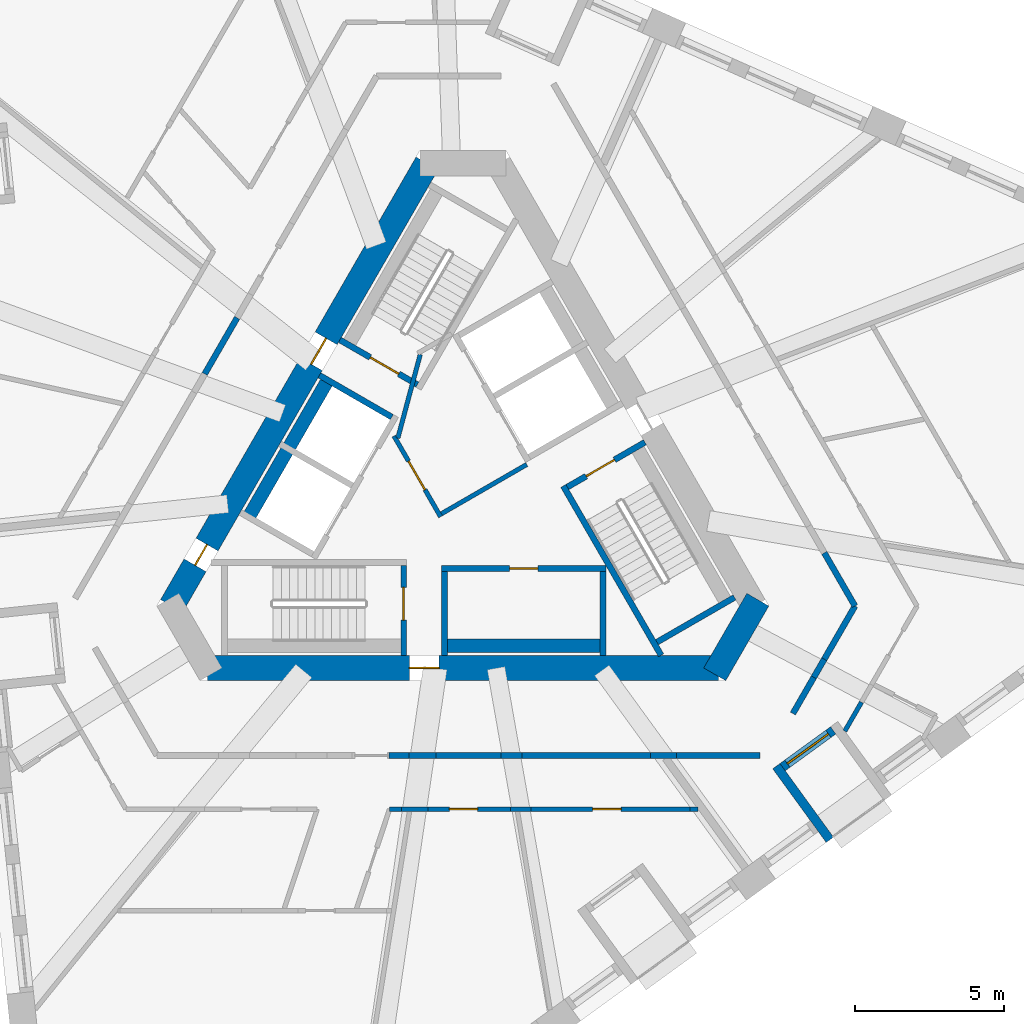
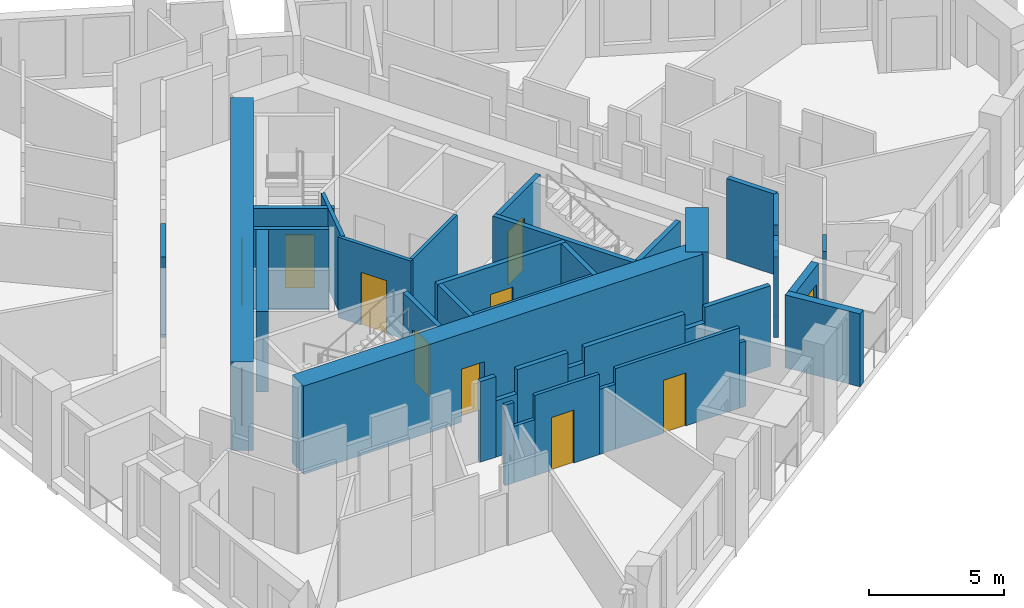
# One storey, part 4 of 14: 38 walls, 11 doors, 11 openings.
"""IFC4 building model written with IfcOpenShell, lengths in metres."""

from ifc_helpers import new_model, si_unit, direction, frame, frame_2d, origin, place, context, subcontext, project, spatial, rectangle, extrude, material, layer, layer_set, type_object, element, fill, save


model = new_model("IFC4")

# Units and contexts
model_context = context("Model", 3, precision=1e-05, world=origin(), true_north=direction((0.0, 1.0)))
body_context = subcontext(model_context, "Body", "Model", "MODEL_VIEW")
ifc_project = project(units=[si_unit("LENGTHUNIT", "METRE"), si_unit("AREAUNIT", "SQUARE_METRE"), si_unit("VOLUMEUNIT", "CUBIC_METRE"), si_unit("PLANEANGLEUNIT", "RADIAN"), si_unit("MASSUNIT", "GRAM", prefix="KILO")], contexts=[model_context])

# Site, building, storey
site_placement = place(None, origin())
site = spatial("IfcSite", under=ifc_project, at=site_placement, CompositionType="ELEMENT")
building_placement = place(site_placement, origin())
building = spatial("IfcBuilding", under=site, at=building_placement, Name="Tramontana Tower", CompositionType="ELEMENT")
storey_placement = place(building_placement, frame((0.0, 0.0, 162.800048828125)))
storey = spatial("IfcBuildingStorey", under=building, at=storey_placement, Name="L37", CompositionType="ELEMENT", Elevation=162.800048828125)

# Wall, openings, doors
ifc_material_1 = material(Name="Concrete 70 MPa", Category="concrete")
ifc_layer_1 = layer(ifc_material_1, 0.85009765625)
ifc_layer_set_1 = layer_set([ifc_layer_1], Name="Core wall 850 70 MPa")
wall_type_1 = type_object("IfcWallType", Name="Core wall 850 70 MPa", PredefinedType="SHEAR", material=ifc_layer_set_1)
wall_1_placement = place(storey_placement, frame((-1.197998046875, 10.574951171875, 0.0), z_axis=(0.0, 0.0, 1.0), x_axis=(-0.499995289315, -0.866028123483, 0.0)))
wall_1 = element("IfcWall", 1, at=wall_1_placement, inside=storey, type_object=wall_type_1, Name="Core wall C1 L37", PredefinedType="SHEAR", context=body_context, shape_type="SweptSolid", body=[
    extrude(rectangle(XDim=17.118408203125, YDim=0.85009765625, at=frame_2d((8.55908203125, 0.0))), origin(), (0.0, 0.0, 1.0), 4.0),
])
opening_1_placement = place(wall_1_placement, frame((6.76416015625, 0.0, 0.0)))
opening_1 = element("IfcOpeningElement", 2, at=opening_1_placement, cuts=wall_1, Name="Opening RG1", PredefinedType="OPENING", context=body_context, shape_type="SweptSolid", body=[
    extrude(rectangle(XDim=1.0, YDim=2.39990234375, at=frame_2d((0.5, 1.199951171875))), frame((0.0, 0.43505859375, 0.0), z_axis=(0.0, -1.0, 0.0), x_axis=(1.0, 0.0, 0.0)), (0.0, 0.0, 1.0), 0.8701171875),
])
opening_2_placement = place(wall_1_placement, frame((14.7421875, 0.0, 0.0)))
opening_2 = element("IfcOpeningElement", 3, at=opening_2_placement, cuts=wall_1, Name="Opening PD1", PredefinedType="OPENING", context=body_context, shape_type="SweptSolid", body=[
    extrude(rectangle(XDim=0.800048828125, YDim=2.10009765625, at=frame_2d((0.39990234375, 1.050048828125))), frame((0.0, 0.43505859375, 0.0), z_axis=(0.0, -1.0, 0.0), x_axis=(1.0, 0.0, 0.0)), (0.0, 0.0, 1.0), 0.8701171875),
])
ifc_material_2 = material(Name="Painted steel", Category="steel")
door_type_1 = type_object("IfcDoorType", Name="CUPBOARD DOOR 800", OperationType="SINGLE_SWING_LEFT", PredefinedType="DOOR", material=ifc_material_2)
door_1_placement = place(opening_2_placement, origin())
door_1 = element("IfcDoor", 4, at=door_1_placement, inside=storey, type_object=door_type_1, Name="Door PD1", OperationType="SINGLE_SWING_RIGHT", OverallHeight=2.10009765625, OverallWidth=0.800048828125, PredefinedType="DOOR", context=body_context, shape_type="SweptSolid", body=[
    extrude(rectangle(XDim=0.800048828125, YDim=2.10009765625, at=frame_2d((0.39990234375, 1.050048828125))), frame((0.0, 0.02490234375, 0.0), z_axis=(0.0, -1.0, 0.0), x_axis=(1.0, 0.0, 0.0)), (0.0, 0.0, 1.0), 0.050048828125),
])
fill(opening_2, door_1)
ifc_material_3 = material(Name="Painted steel", Category="steel")
door_type_2 = type_object("IfcDoorType", Name="RING DOOR 1000", OperationType="SINGLE_SWING_LEFT", PredefinedType="DOOR", material=ifc_material_3)
door_2_placement = place(opening_1_placement, origin())
door_2 = element("IfcDoor", 5, at=door_2_placement, inside=storey, type_object=door_type_2, Name="Door RG1", OperationType="SINGLE_SWING_LEFT", OverallHeight=2.39990234375, OverallWidth=1.0, PredefinedType="DOOR", context=body_context, shape_type="SweptSolid", body=[
    extrude(rectangle(XDim=1.0, YDim=2.39990234375, at=frame_2d((0.5, 1.199951171875))), frame((0.0, 0.02490234375, 0.0), z_axis=(0.0, -1.0, 0.0), x_axis=(1.0, 0.0, 0.0)), (0.0, 0.0, 1.0), 0.050048828125),
])
fill(opening_1, door_2)

# Wall, opening, door
wall_2_placement = place(storey_placement, frame((-8.55908203125, -6.324951171875, 0.0), z_axis=(0.0, 0.0, 1.0), x_axis=(1.0, 0.0, 0.0)))
wall_2 = element("IfcWall", 6, at=wall_2_placement, inside=storey, type_object=wall_type_1, Name="Core wall C3 L37", PredefinedType="SHEAR", context=body_context, shape_type="SweptSolid", body=[
    extrude(rectangle(XDim=17.1181640625, YDim=0.85009765625, at=frame_2d((8.55908203125, 0.0))), origin(), (0.0, 0.0, 1.0), 4.0),
])
opening_3_placement = place(wall_2_placement, frame((6.76416015625, 0.0, 0.0)))
opening_3 = element("IfcOpeningElement", 7, at=opening_3_placement, cuts=wall_2, Name="Opening RG2", PredefinedType="OPENING", context=body_context, shape_type="SweptSolid", body=[
    extrude(rectangle(XDim=1.0, YDim=2.39990234375, at=frame_2d((0.5, 1.199951171875))), frame((0.0, 0.43505859375, 0.0), z_axis=(0.0, -1.0, 0.0), x_axis=(1.0, 0.0, 0.0)), (0.0, 0.0, 1.0), 0.8701171875),
])
door_3_placement = place(opening_3_placement, origin())
door_3 = element("IfcDoor", 8, at=door_3_placement, inside=storey, type_object=door_type_2, Name="Door RG2", OperationType="SINGLE_SWING_RIGHT", OverallHeight=2.39990234375, OverallWidth=1.0, PredefinedType="DOOR", context=body_context, shape_type="SweptSolid", body=[
    extrude(rectangle(XDim=1.0, YDim=2.39990234375, at=frame_2d((0.5, 1.199951171875))), frame((0.0, 0.02490234375, 0.0), z_axis=(0.0, -1.0, 0.0), x_axis=(1.0, 0.0, 0.0)), (0.0, 0.0, 1.0), 0.050048828125),
])
fill(opening_3, door_3)

# Walls
wall_3_placement = place(storey_placement, frame((8.4365234375, -6.53759765625, 0.0), z_axis=(0.0, 0.0, 1.0), x_axis=(0.499995765644, 0.866027848477, 0.0)))
element("IfcWall", 9, at=wall_3_placement, inside=storey, type_object=wall_type_1, Name="Core wall C4 L37", PredefinedType="SHEAR", context=body_context, shape_type="SweptSolid", body=[
    extrude(rectangle(XDim=2.88671875, YDim=0.85009765625, at=frame_2d((1.443359375, 0.0))), origin(), (0.0, 0.0, 1.0), 4.0),
])
ifc_material_4 = material(Name="Blockwork", Category="masonry")
ifc_layer_2 = layer(ifc_material_4, 0.199951171875)
ifc_layer_set_2 = layer_set([ifc_layer_2], Name="ENTRY WALL 200")
wall_type_2 = type_object("IfcWallType", Name="ENTRY WALL 200", PredefinedType="SOLIDWALL", material=ifc_layer_set_2)
wall_4_placement = place(storey_placement, frame((12.106689453125, -2.46923828125, 0.0), z_axis=(0.0, 0.0, 1.0), x_axis=(0.499982825521, -0.866035319247, 0.0)))
element("IfcWall", 10, at=wall_4_placement, inside=storey, type_object=wall_type_2, Name="Wall v40-ew0-12", PredefinedType="SOLIDWALL", context=body_context, shape_type="SweptSolid", body=[
    extrude(rectangle(XDim=2.05615234375, YDim=0.199951171875, at=frame_2d((1.028076171875, 0.0))), origin(), (0.0, 0.0, 1.0), 3.64990234375),
])
wall_5_placement = place(storey_placement, frame((13.134765625, -4.25, 0.0), z_axis=(0.0, 0.0, 1.0), x_axis=(-0.500030520673, -0.866007781949, 0.0)))
element("IfcWall", 11, at=wall_5_placement, inside=storey, type_object=wall_type_2, Name="Wall v40-ew1-0", PredefinedType="SOLIDWALL", context=body_context, shape_type="SweptSolid", body=[
    extrude(rectangle(XDim=2.057861328125, YDim=0.199951171875, at=frame_2d((1.02880859375, 0.0))), origin(), (0.0, 0.0, 1.0), 3.64990234375),
])
wall_6_placement = place(storey_placement, frame((12.105712890625, -6.0322265625, 0.0), z_axis=(0.0, 0.0, 1.0), x_axis=(-0.49996389635, -0.866046247233, 0.0)))
element("IfcWall", 12, at=wall_6_placement, inside=storey, type_object=wall_type_2, Name="Wall v40-ew1-1", PredefinedType="SOLIDWALL", context=body_context, shape_type="SweptSolid", body=[
    extrude(rectangle(XDim=0.7001953125, YDim=0.199951171875, at=frame_2d((0.35009765625, 0.0))), origin(), (0.0, 0.0, 1.0), 2.949951171875),
])
wall_7_placement = place(storey_placement, frame((11.755615234375, -6.638671875, 0.0), z_axis=(0.0, 0.0, 1.0), x_axis=(-0.49998411664, -0.866034573852, 0.0)))
element("IfcWall", 13, at=wall_7_placement, inside=storey, type_object=wall_type_2, Name="Wall v40-ew1-2", PredefinedType="SOLIDWALL", context=body_context, shape_type="SweptSolid", body=[
    extrude(rectangle(XDim=1.39990234375, YDim=0.199951171875, at=frame_2d((0.699951171875, 0.0))), origin(), (0.0, 0.0, 1.0), 3.64990234375),
])
wall_8_placement = place(storey_placement, frame((9.95166015625, -9.25, 0.0), z_axis=(0.0, 0.0, 1.0), x_axis=(-1.0, 0.0, 0.0)))
element("IfcWall", 14, at=wall_8_placement, inside=storey, type_object=wall_type_2, Name="Wall v40-ew2-0", PredefinedType="SOLIDWALL", context=body_context, shape_type="SweptSolid", body=[
    extrude(rectangle(XDim=2.798583984375, YDim=0.199951171875, at=frame_2d((1.3994140625, 0.0))), origin(), (0.0, 0.0, 1.0), 3.64990234375),
])
wall_9_placement = place(storey_placement, frame((7.153076171875, -9.25, 0.0), z_axis=(0.0, 0.0, 1.0), x_axis=(-1.0, 0.0, 0.0)))
element("IfcWall", 15, at=wall_9_placement, inside=storey, type_object=wall_type_2, Name="Wall v40-ew2-1", PredefinedType="SOLIDWALL", context=body_context, shape_type="SweptSolid", body=[
    extrude(rectangle(XDim=0.865234375, YDim=0.199951171875, at=frame_2d((0.4326171875, 0.0))), origin(), (0.0, 0.0, 1.0), 2.949951171875),
])
wall_10_placement = place(storey_placement, frame((6.287841796875, -9.25, 0.0), z_axis=(0.0, 0.0, 1.0), x_axis=(-1.0, 0.0, 0.0)))
element("IfcWall", 16, at=wall_10_placement, inside=storey, type_object=wall_type_2, Name="Wall v40-ew2-2", PredefinedType="SOLIDWALL", context=body_context, shape_type="SweptSolid", body=[
    extrude(rectangle(XDim=4.306640625, YDim=0.199951171875, at=frame_2d((2.1533203125, 0.0))), origin(), (0.0, 0.0, 1.0), 3.64990234375),
])
wall_11_placement = place(storey_placement, frame((1.981201171875, -9.25, 0.0), z_axis=(0.0, 0.0, 1.0), x_axis=(-1.0, 0.0, 0.0)))
element("IfcWall", 17, at=wall_11_placement, inside=storey, type_object=wall_type_2, Name="Wall v40-ew2-3", PredefinedType="SOLIDWALL", context=body_context, shape_type="SweptSolid", body=[
    extrude(rectangle(XDim=0.710693359375, YDim=0.199951171875, at=frame_2d((0.35546875, 0.0))), origin(), (0.0, 0.0, 1.0), 2.949951171875),
])
wall_12_placement = place(storey_placement, frame((1.2705078125, -9.25, 0.0), z_axis=(0.0, 0.0, 1.0), x_axis=(-1.0, 0.0, 0.0)))
element("IfcWall", 18, at=wall_12_placement, inside=storey, type_object=wall_type_2, Name="Wall v40-ew2-4", PredefinedType="SOLIDWALL", context=body_context, shape_type="SweptSolid", body=[
    extrude(rectangle(XDim=2.169677734375, YDim=0.199951171875, at=frame_2d((1.0849609375, 0.0))), origin(), (0.0, 0.0, 1.0), 3.64990234375),
])
wall_13_placement = place(storey_placement, frame((-0.899169921875, -9.25, 0.0), z_axis=(0.0, 0.0, 1.0), x_axis=(-1.0, 0.0, 0.0)))
element("IfcWall", 19, at=wall_13_placement, inside=storey, type_object=wall_type_2, Name="Wall v40-ew2-5", PredefinedType="SOLIDWALL", context=body_context, shape_type="SweptSolid", body=[
    extrude(rectangle(XDim=0.909423828125, YDim=0.199951171875, at=frame_2d((0.45458984375, 0.0))), origin(), (0.0, 0.0, 1.0), 2.550048828125),
])
wall_14_placement = place(storey_placement, frame((-1.80859375, -9.25, 0.0), z_axis=(0.0, 0.0, 1.0), x_axis=(-1.0, 0.0, 0.0)))
element("IfcWall", 20, at=wall_14_placement, inside=storey, type_object=wall_type_2, Name="Wall v40-ew2-6", PredefinedType="SOLIDWALL", context=body_context, shape_type="SweptSolid", body=[
    extrude(rectangle(XDim=0.659423828125, YDim=0.199951171875, at=frame_2d((0.32958984375, 0.0))), origin(), (0.0, 0.0, 1.0), 3.64990234375),
])
wall_15_placement = place(storey_placement, frame((-8.64599609375, 3.524658203125, 0.0), z_axis=(0.0, 0.0, 1.0), x_axis=(0.499975720793, 0.866039420937, 0.0)))
element("IfcWall", 21, at=wall_15_placement, inside=storey, type_object=wall_type_2, Name="Wall v40-ew4-4", PredefinedType="SOLIDWALL", context=body_context, shape_type="SweptSolid", body=[
    extrude(rectangle(XDim=2.16943359375, YDim=0.199951171875, at=frame_2d((1.084716796875, 0.0))), origin(), (0.0, 0.0, 1.0), 3.64990234375),
])

# Wall, opening, door
ifc_material_5 = material(Name="Precast concrete 60 MPa", Category="concrete")
ifc_layer_3 = layer(ifc_material_5, 0.300048828125)
ifc_layer_set_3 = layer_set([ifc_layer_3], Name="LW1 Stone-faced loggia wall 300")
wall_type_3 = type_object("IfcWallType", Name="LW1 Stone-faced loggia wall 300", PredefinedType="SOLIDWALL", material=ifc_layer_set_3)
wall_16_placement = place(storey_placement, frame((10.710205078125, -9.647216796875, 0.0), z_axis=(0.0, 0.0, 1.0), x_axis=(0.808972932648, 0.587845893277, 0.0)))
wall_16 = element("IfcWall", 22, at=wall_16_placement, inside=storey, type_object=wall_type_3, Name="Loggia wall L37 G4S1.10", PredefinedType="SOLIDWALL", context=body_context, shape_type="SweptSolid", body=[
    extrude(rectangle(XDim=2.094482421875, YDim=0.300048828125, at=frame_2d((1.04736328125, 0.0))), origin(), (0.0, 0.0, 1.0), 3.300048828125),
])
opening_4_placement = place(wall_16_placement, frame((0.197265625, 0.0, 0.0)))
opening_4 = element("IfcOpeningElement", 23, at=opening_4_placement, cuts=wall_16, Name="Opening BD-4S1-10", PredefinedType="OPENING", context=body_context, shape_type="SweptSolid", body=[
    extrude(rectangle(XDim=1.699951171875, YDim=2.449951171875, at=frame_2d((0.85009765625, 1.22509765625))), frame((0.0, 0.159912109375, 0.0), z_axis=(0.0, -1.0, 0.0), x_axis=(1.0, 0.0, 0.0)), (0.0, 0.0, 1.0), 0.320068359375),
])
ifc_material_6 = material(Name="Aluminum frame, double glazing unit", Category="aluminium")
door_type_3 = type_object("IfcDoorType", Name="BD2 Sliding door 1.7 x 2.45", OperationType="SLIDING_TO_LEFT", PredefinedType="DOOR", material=ifc_material_6)
door_4_placement = place(opening_4_placement, origin())
door_4 = element("IfcDoor", 24, at=door_4_placement, inside=storey, type_object=door_type_3, Name="Loggia door L37 G4S1.10", OperationType="SLIDING_TO_LEFT", OverallHeight=2.449951171875, OverallWidth=1.699951171875, PredefinedType="DOOR", context=body_context, shape_type="SweptSolid", body=[
    extrude(rectangle(XDim=1.699951171875, YDim=2.449951171875, at=frame_2d((0.85009765625, 1.22509765625))), frame((0.0, 0.02490234375, 0.0), z_axis=(0.0, -1.0, 0.0), x_axis=(1.0, 0.0, 0.0)), (0.0, 0.0, 1.0), 0.050048828125),
])
fill(opening_4, door_4)

# Wall
wall_17_placement = place(storey_placement, frame((12.29345703125, -12.08154296875, 0.0), z_axis=(0.0, 0.0, 1.0), x_axis=(-0.587776590479, 0.80902328748, 0.0)))
element("IfcWall", 25, at=wall_17_placement, inside=storey, type_object=wall_type_3, Name="Loggia return L37 G4S1.10a", PredefinedType="SOLIDWALL", context=body_context, shape_type="SweptSolid", body=[
    extrude(rectangle(XDim=3.050048828125, YDim=0.300048828125, at=frame_2d((1.52490234375, 0.0))), origin(), (0.0, 0.0, 1.0), 3.300048828125),
])

# Wall, opening, door
ifc_material_7 = material(Name="Gypsum board partition")
ifc_layer_4 = layer(ifc_material_7, 0.14990234375)
ifc_layer_set_4 = layer_set([ifc_layer_4], Name="PARTITION 150")
wall_type_4 = type_object("IfcWallType", Name="PARTITION 150", PredefinedType="PARTITIONING", material=ifc_layer_set_4)
wall_18_placement = place(storey_placement, frame((-0.744140625, -1.260986328125, 0.0), z_axis=(0.0, 0.0, 1.0), x_axis=(-0.500004234368, 0.866022959057, 0.0)))
wall_18 = element("IfcWall", 26, at=wall_18_placement, inside=storey, type_object=wall_type_4, Name="Wall ff-front", PredefinedType="PARTITIONING", context=body_context, shape_type="SweptSolid", body=[
    extrude(rectangle(XDim=3.125, YDim=0.14990234375, at=frame_2d((1.5625, 0.0))), origin(), (0.0, 0.0, 1.0), 3.64990234375),
])
opening_5_placement = place(wall_18_placement, frame((1.050048828125, 0.0, 0.0)))
opening_5 = element("IfcOpeningElement", 27, at=opening_5_placement, cuts=wall_18, Name="Opening FD1", PredefinedType="OPENING", context=body_context, shape_type="SweptSolid", body=[
    extrude(rectangle(XDim=1.10009765625, YDim=2.39990234375, at=frame_2d((0.550048828125, 1.199951171875))), frame((0.0, 0.0849609375, 0.0), z_axis=(0.0, -1.0, 0.0), x_axis=(1.0, 0.0, 0.0)), (0.0, 0.0, 1.0), 0.169921875),
])
ifc_material_8 = material(Name="Painted timber", Category="wood")
door_type_4 = type_object("IfcDoorType", Name="DOOR ENTRY 1100", OperationType="SINGLE_SWING_LEFT", PredefinedType="DOOR", material=ifc_material_8)
door_5_placement = place(opening_5_placement, origin())
door_5 = element("IfcDoor", 28, at=door_5_placement, inside=storey, type_object=door_type_4, Name="Door FD1", OperationType="SINGLE_SWING_RIGHT", OverallHeight=2.39990234375, OverallWidth=1.10009765625, PredefinedType="DOOR", context=body_context, shape_type="SweptSolid", body=[
    extrude(rectangle(XDim=1.10009765625, YDim=2.39990234375, at=frame_2d((0.550048828125, 1.199951171875))), frame((0.0, 0.02490234375, 0.0), z_axis=(0.0, -1.0, 0.0), x_axis=(1.0, 0.0, 0.0)), (0.0, 0.0, 1.0), 0.050048828125),
])
fill(opening_5, door_5)

# Walls
wall_19_placement = place(storey_placement, frame((-0.716796875, -1.15869140625, 0.0), z_axis=(0.0, 0.0, 1.0), x_axis=(0.866008176907, 0.50002983664, 0.0)))
element("IfcWall", 29, at=wall_19_placement, inside=storey, type_object=wall_type_4, Name="Wall ff-end0", PredefinedType="PARTITIONING", context=body_context, shape_type="SweptSolid", body=[
    extrude(rectangle(XDim=3.300048828125, YDim=0.14990234375, at=frame_2d((1.64990234375, 0.0))), origin(), (0.0, 0.0, 1.0), 3.64990234375),
])
wall_20_placement = place(storey_placement, frame((-2.177978515625, 1.372314453125, 0.0), z_axis=(0.0, 0.0, 1.0), x_axis=(0.258808958833, 0.96592852884, 0.0)))
element("IfcWall", 30, at=wall_20_placement, inside=storey, type_object=wall_type_4, Name="Wall ff-diag", PredefinedType="PARTITIONING", context=body_context, shape_type="SweptSolid", body=[
    extrude(rectangle(XDim=2.902587890625, YDim=0.14990234375, at=frame_2d((1.451171875, 0.0))), origin(), (0.0, 0.0, 1.0), 3.64990234375),
])
wall_21_placement = place(storey_placement, frame((7.873779296875, -11.050048828125, 0.0), z_axis=(0.0, 0.0, 1.0), x_axis=(-1.0, 0.0, 0.0)))
element("IfcWall", 31, at=wall_21_placement, inside=storey, type_object=wall_type_4, Name="Wall v40-pw27-0", PredefinedType="PARTITIONING", context=body_context, shape_type="SweptSolid", body=[
    extrude(rectangle(XDim=0.2626953125, YDim=0.14990234375, at=frame_2d((0.13134765625, 0.0))), origin(), (0.0, 0.0, 1.0), 2.949951171875),
])

# Wall, opening, door
wall_22_placement = place(storey_placement, frame((7.611083984375, -11.050048828125, 0.0), z_axis=(0.0, 0.0, 1.0), x_axis=(-1.0, 0.0, 0.0)))
wall_22 = element("IfcWall", 32, at=wall_22_placement, inside=storey, type_object=wall_type_4, Name="Wall v40-pw27-1", PredefinedType="PARTITIONING", context=body_context, shape_type="SweptSolid", body=[
    extrude(rectangle(XDim=5.326171875, YDim=0.14990234375, at=frame_2d((2.6630859375, 0.0))), origin(), (0.0, 0.0, 1.0), 3.64990234375),
])
opening_6_placement = place(wall_22_placement, frame((2.31201171875, 0.0, 0.0)))
opening_6 = element("IfcOpeningElement", 33, at=opening_6_placement, cuts=wall_22, Name="Opening B4A-13", PredefinedType="OPENING", context=body_context, shape_type="SweptSolid", body=[
    extrude(rectangle(XDim=0.949951171875, YDim=2.39990234375, at=frame_2d((0.47509765625, 1.199951171875))), frame((0.0, 0.0849609375, 0.0), z_axis=(0.0, -1.0, 0.0), x_axis=(1.0, 0.0, 0.0)), (0.0, 0.0, 1.0), 0.169921875),
])
ifc_material_9 = material(Name="Painted timber", Category="wood")
door_type_5 = type_object("IfcDoorType", Name="DOOR ROOM 950", OperationType="SINGLE_SWING_LEFT", PredefinedType="DOOR", material=ifc_material_9)
door_6_placement = place(opening_6_placement, origin())
door_6 = element("IfcDoor", 34, at=door_6_placement, inside=storey, type_object=door_type_5, Name="Door B4A-13", OperationType="SINGLE_SWING_LEFT", OverallHeight=2.39990234375, OverallWidth=0.949951171875, PredefinedType="DOOR", context=body_context, shape_type="SweptSolid", body=[
    extrude(rectangle(XDim=0.949951171875, YDim=2.39990234375, at=frame_2d((0.47509765625, 1.199951171875))), frame((0.0, 0.02490234375, 0.0), z_axis=(0.0, -1.0, 0.0), x_axis=(1.0, 0.0, 0.0)), (0.0, 0.0, 1.0), 0.050048828125),
])
fill(opening_6, door_6)

# Wall
wall_23_placement = place(storey_placement, frame((2.284912109375, -11.050048828125, 0.0), z_axis=(0.0, 0.0, 1.0), x_axis=(-1.0, 0.0, 0.0)))
element("IfcWall", 35, at=wall_23_placement, inside=storey, type_object=wall_type_4, Name="Wall v40-pw27-2", PredefinedType="PARTITIONING", context=body_context, shape_type="SweptSolid", body=[
    extrude(rectangle(XDim=0.685302734375, YDim=0.14990234375, at=frame_2d((0.3427734375, 0.0))), origin(), (0.0, 0.0, 1.0), 2.949951171875),
])

# Wall, opening, door
wall_24_placement = place(storey_placement, frame((1.599609375, -11.050048828125, 0.0), z_axis=(0.0, 0.0, 1.0), x_axis=(-1.0, 0.0, 0.0)))
wall_24 = element("IfcWall", 36, at=wall_24_placement, inside=storey, type_object=wall_type_4, Name="Wall v40-pw27-3", PredefinedType="PARTITIONING", context=body_context, shape_type="SweptSolid", body=[
    extrude(rectangle(XDim=2.77490234375, YDim=0.14990234375, at=frame_2d((1.387451171875, 0.0))), origin(), (0.0, 0.0, 1.0), 3.64990234375),
])
opening_7_placement = place(wall_24_placement, frame((1.1025390625, 0.0, 0.0)))
opening_7 = element("IfcOpeningElement", 37, at=opening_7_placement, cuts=wall_24, Name="Opening B4A-12", PredefinedType="OPENING", context=body_context, shape_type="SweptSolid", body=[
    extrude(rectangle(XDim=0.949951171875, YDim=2.39990234375, at=frame_2d((0.47509765625, 1.199951171875))), frame((0.0, 0.0849609375, 0.0), z_axis=(0.0, -1.0, 0.0), x_axis=(1.0, 0.0, 0.0)), (0.0, 0.0, 1.0), 0.169921875),
])
door_7_placement = place(opening_7_placement, origin())
door_7 = element("IfcDoor", 38, at=door_7_placement, inside=storey, type_object=door_type_5, Name="Door B4A-12", OperationType="SINGLE_SWING_RIGHT", OverallHeight=2.39990234375, OverallWidth=0.949951171875, PredefinedType="DOOR", context=body_context, shape_type="SweptSolid", body=[
    extrude(rectangle(XDim=0.949951171875, YDim=2.39990234375, at=frame_2d((0.47509765625, 1.199951171875))), frame((0.0, 0.02490234375, 0.0), z_axis=(0.0, -1.0, 0.0), x_axis=(1.0, 0.0, 0.0)), (0.0, 0.0, 1.0), 0.050048828125),
])
fill(opening_7, door_7)

# Walls
wall_25_placement = place(storey_placement, frame((-1.17529296875, -11.050048828125, 0.0), z_axis=(0.0, 0.0, 1.0), x_axis=(-1.0, 0.0, 0.0)))
element("IfcWall", 39, at=wall_25_placement, inside=storey, type_object=wall_type_4, Name="Wall v40-pw27-4", PredefinedType="PARTITIONING", context=body_context, shape_type="SweptSolid", body=[
    extrude(rectangle(XDim=0.88427734375, YDim=0.14990234375, at=frame_2d((0.442138671875, 0.0))), origin(), (0.0, 0.0, 1.0), 2.550048828125),
])
wall_26_placement = place(storey_placement, frame((-2.0595703125, -11.050048828125, 0.0), z_axis=(0.0, 0.0, 1.0), x_axis=(-1.0, 0.0, 0.0)))
element("IfcWall", 40, at=wall_26_placement, inside=storey, type_object=wall_type_4, Name="Wall v40-pw27-5", PredefinedType="PARTITIONING", context=body_context, shape_type="SweptSolid", body=[
    extrude(rectangle(XDim=0.3916015625, YDim=0.14990234375, at=frame_2d((0.19580078125, 0.0))), origin(), (0.0, 0.0, 1.0), 3.64990234375),
])
wall_27_placement = place(storey_placement, frame((13.3525390625, -7.47265625, 0.0), z_axis=(0.0, 0.0, 1.0), x_axis=(-0.500037474894, -0.866003766563, 0.0)))
element("IfcWall", 41, at=wall_27_placement, inside=storey, type_object=wall_type_4, Name="Wall v40-pw33-2", PredefinedType="PARTITIONING", context=body_context, shape_type="SweptSolid", body=[
    extrude(rectangle(XDim=1.1181640625, YDim=0.14990234375, at=frame_2d((0.55908203125, 0.0))), origin(), (0.0, 0.0, 1.0), 3.64990234375),
])
ifc_material_10 = material(Name="Concrete 70 MPa", Category="concrete")
ifc_layer_5 = layer(ifc_material_10, 0.449951171875)
ifc_layer_set_5 = layer_set([ifc_layer_5], Name="Concrete 70 MPa, 450 mm")
wall_type_5 = type_object("IfcWallType", Name="RC SHAFT BACK WALL 450", PredefinedType="SOLIDWALL", material=ifc_layer_set_5)
for number, where, z_axis, x_axis, name in (
    (42, (-4.47314453125, 3.40234375, 0.0), (0.0, 0.0, 1.0), (-0.499996545922, -0.866027397988, 0.0), "Wall row0-back"),
    (43, (-0.7099609375, -5.574951171875, 0.0), (0.0, 0.0, 1.0), (1.0, 0.0, 0.0), "Wall row1-back"),
):
    element("IfcWall", number, at=place(storey_placement, frame(where, z_axis=z_axis, x_axis=x_axis)), inside=storey, type_object=wall_type_5, Name=name, PredefinedType="SOLIDWALL", context=body_context, shape_type="SweptSolid", body=[
        extrude(rectangle(XDim=5.5, YDim=0.449951171875, at=frame_2d((2.75, 0.0))), origin(), (0.0, 0.0, 1.0), 3.64990234375),
    ])

# Wall, opening, door
ifc_material_11 = material(Name="Concrete 70 MPa", Category="concrete")
ifc_layer_6 = layer(ifc_material_11, 0.199951171875)
ifc_layer_set_6 = layer_set([ifc_layer_6], Name="Concrete 70 MPa, 200 mm")
wall_type_6 = type_object("IfcWallType", Name="RC STAIR AND SHAFT WALL 200", PredefinedType="SOLIDWALL", material=ifc_layer_set_6)
wall_28_placement = place(storey_placement, frame((-1.521484375, 3.164794921875, 0.0), z_axis=(0.0, 0.0, 1.0), x_axis=(-0.866031096941, 0.499990139034, 0.0)))
wall_28 = element("IfcWall", 44, at=wall_28_placement, inside=storey, type_object=wall_type_6, Name="Wall st1-near", PredefinedType="SOLIDWALL", context=body_context, shape_type="SweptSolid", body=[
    extrude(rectangle(XDim=3.0, YDim=0.199951171875, at=frame_2d((1.5, 0.0))), origin(), (0.0, 0.0, 1.0), 3.64990234375),
])
opening_8_placement = place(wall_28_placement, frame((0.72509765625, 0.0, 0.0)))
opening_8 = element("IfcOpeningElement", 45, at=opening_8_placement, cuts=wall_28, Name="Opening SD1", PredefinedType="OPENING", context=body_context, shape_type="SweptSolid", body=[
    extrude(rectangle(XDim=1.10009765625, YDim=2.39990234375, at=frame_2d((0.550048828125, 1.199951171875))), frame((0.0, 0.10986328125, 0.0), z_axis=(0.0, -1.0, 0.0), x_axis=(1.0, 0.0, 0.0)), (0.0, 0.0, 1.0), 0.219970703125),
])
ifc_material_12 = material(Name="Painted steel", Category="steel")
door_type_6 = type_object("IfcDoorType", Name="STAIR DOOR 1100", OperationType="SINGLE_SWING_LEFT", PredefinedType="DOOR", material=ifc_material_12)
door_8_placement = place(opening_8_placement, origin())
door_8 = element("IfcDoor", 46, at=door_8_placement, inside=storey, type_object=door_type_6, Name="Door SD1", OperationType="SINGLE_SWING_RIGHT", OverallHeight=2.39990234375, OverallWidth=1.10009765625, PredefinedType="DOOR", context=body_context, shape_type="SweptSolid", body=[
    extrude(rectangle(XDim=1.10009765625, YDim=2.39990234375, at=frame_2d((0.550048828125, 1.199951171875))), frame((0.0, 0.02490234375, 0.0), z_axis=(0.0, -1.0, 0.0), x_axis=(1.0, 0.0, 0.0)), (0.0, 0.0, 1.0), 0.050048828125),
])
fill(opening_8, door_8)

wall_29_placement = place(storey_placement, frame((-1.97998046875, -2.89990234375, 0.0), z_axis=(0.0, 0.0, 1.0), x_axis=(0.0, -1.0, 0.0)))
wall_29 = element("IfcWall", 47, at=wall_29_placement, inside=storey, type_object=wall_type_6, Name="Wall st2-near", PredefinedType="SOLIDWALL", context=body_context, shape_type="SweptSolid", body=[
    extrude(rectangle(XDim=3.0, YDim=0.199951171875, at=frame_2d((1.5, 0.0))), origin(), (0.0, 0.0, 1.0), 3.64990234375),
])
opening_9_placement = place(wall_29_placement, frame((0.72509765625, 0.0, 0.0)))
opening_9 = element("IfcOpeningElement", 48, at=opening_9_placement, cuts=wall_29, Name="Opening SD2", PredefinedType="OPENING", context=body_context, shape_type="SweptSolid", body=[
    extrude(rectangle(XDim=1.10009765625, YDim=2.39990234375, at=frame_2d((0.550048828125, 1.199951171875))), frame((0.0, 0.10986328125, 0.0), z_axis=(0.0, -1.0, 0.0), x_axis=(1.0, 0.0, 0.0)), (0.0, 0.0, 1.0), 0.219970703125),
])
door_9_placement = place(opening_9_placement, origin())
door_9 = element("IfcDoor", 49, at=door_9_placement, inside=storey, type_object=door_type_6, Name="Door SD2", OperationType="SINGLE_SWING_LEFT", OverallHeight=2.39990234375, OverallWidth=1.10009765625, PredefinedType="DOOR", context=body_context, shape_type="SweptSolid", body=[
    extrude(rectangle(XDim=1.10009765625, YDim=2.39990234375, at=frame_2d((0.550048828125, 1.199951171875))), frame((0.0, 0.02490234375, 0.0), z_axis=(0.0, -1.0, 0.0), x_axis=(1.0, 0.0, 0.0)), (0.0, 0.0, 1.0), 0.050048828125),
])
fill(opening_9, door_9)

# Walls
wall_30_placement = place(storey_placement, frame((6.6396484375, -5.89990234375, 0.0), z_axis=(0.0, 0.0, 1.0), x_axis=(-0.499999959354, 0.866025427251, 0.0)))
element("IfcWall", 50, at=wall_30_placement, inside=storey, type_object=wall_type_6, Name="Wall st3-front", PredefinedType="SOLIDWALL", context=body_context, shape_type="SweptSolid", body=[
    extrude(rectangle(XDim=6.54931640625, YDim=0.199951171875, at=frame_2d((3.274658203125, 0.0))), origin(), (0.0, 0.0, 1.0), 3.64990234375),
])
wall_31_placement = place(storey_placement, frame((6.50146484375, -5.4609375, 0.0), z_axis=(0.0, 0.0, 1.0), x_axis=(0.866031096941, 0.499990139034, 0.0)))
element("IfcWall", 51, at=wall_31_placement, inside=storey, type_object=wall_type_6, Name="Wall st3-far", PredefinedType="SOLIDWALL", context=body_context, shape_type="SweptSolid", body=[
    extrude(rectangle(XDim=3.0, YDim=0.199951171875, at=frame_2d((1.5, 0.0))), origin(), (0.0, 0.0, 1.0), 3.64990234375),
])

# Wall, opening, door
wall_32_placement = place(storey_placement, frame((3.50146484375, -0.2646484375, 0.0), z_axis=(0.0, 0.0, 1.0), x_axis=(0.866031096941, 0.499990139034, 0.0)))
wall_32 = element("IfcWall", 52, at=wall_32_placement, inside=storey, type_object=wall_type_6, Name="Wall st3-near", PredefinedType="SOLIDWALL", context=body_context, shape_type="SweptSolid", body=[
    extrude(rectangle(XDim=3.0, YDim=0.199951171875, at=frame_2d((1.5, 0.0))), origin(), (0.0, 0.0, 1.0), 3.64990234375),
])
opening_10_placement = place(wall_32_placement, frame((0.72509765625, 0.0, 0.0)))
opening_10 = element("IfcOpeningElement", 53, at=opening_10_placement, cuts=wall_32, Name="Opening SD3", PredefinedType="OPENING", context=body_context, shape_type="SweptSolid", body=[
    extrude(rectangle(XDim=1.10009765625, YDim=2.39990234375, at=frame_2d((0.550048828125, 1.199951171875))), frame((0.0, 0.10986328125, 0.0), z_axis=(0.0, -1.0, 0.0), x_axis=(1.0, 0.0, 0.0)), (0.0, 0.0, 1.0), 0.219970703125),
])
door_10_placement = place(opening_10_placement, origin())
door_10 = element("IfcDoor", 54, at=door_10_placement, inside=storey, type_object=door_type_6, Name="Door SD3", OperationType="SINGLE_SWING_RIGHT", OverallHeight=2.39990234375, OverallWidth=1.10009765625, PredefinedType="DOOR", context=body_context, shape_type="SweptSolid", body=[
    extrude(rectangle(XDim=1.10009765625, YDim=2.39990234375, at=frame_2d((0.550048828125, 1.199951171875))), frame((0.0, 0.02490234375, 0.0), z_axis=(0.0, -1.0, 0.0), x_axis=(1.0, 0.0, 0.0)), (0.0, 0.0, 1.0), 0.050048828125),
])
fill(opening_10, door_10)

# Wall
wall_33_placement = place(storey_placement, frame((-2.379638671875, 2.078369140625, 0.0), z_axis=(0.0, 0.0, 1.0), x_axis=(-0.866034573852, 0.49998411664, 0.0)))
element("IfcWall", 55, at=wall_33_placement, inside=storey, type_object=wall_type_6, Name="Wall row0-side0", PredefinedType="SOLIDWALL", context=body_context, shape_type="SweptSolid", body=[
    extrude(rectangle(XDim=2.7998046875, YDim=0.199951171875, at=frame_2d((1.39990234375, 0.0))), origin(), (0.0, 0.0, 1.0), 3.64990234375),
])

# Wall, opening, door
wall_34_placement = place(storey_placement, frame((4.7900390625, -3.0, 0.0), z_axis=(0.0, 0.0, 1.0), x_axis=(-1.0, 0.0, 0.0)))
wall_34 = element("IfcWall", 56, at=wall_34_placement, inside=storey, type_object=wall_type_6, Name="Wall row1-front", PredefinedType="SOLIDWALL", context=body_context, shape_type="SweptSolid", body=[
    extrude(rectangle(XDim=5.5, YDim=0.199951171875, at=frame_2d((2.75, 0.0))), origin(), (0.0, 0.0, 1.0), 3.64990234375),
])
opening_11_placement = place(wall_34_placement, frame((2.27490234375, 0.0, 0.0)))
opening_11 = element("IfcOpeningElement", 57, at=opening_11_placement, cuts=wall_34, Name="Opening RD-1", PredefinedType="OPENING", context=body_context, shape_type="SweptSolid", body=[
    extrude(rectangle(XDim=0.949951171875, YDim=2.39990234375, at=frame_2d((0.47509765625, 1.199951171875))), frame((0.0, 0.10986328125, 0.0), z_axis=(0.0, -1.0, 0.0), x_axis=(1.0, 0.0, 0.0)), (0.0, 0.0, 1.0), 0.219970703125),
])
door_11_placement = place(opening_11_placement, origin())
door_11 = element("IfcDoor", 58, at=door_11_placement, inside=storey, type_object=door_type_5, Name="Door RD-1", OperationType="SINGLE_SWING_LEFT", OverallHeight=2.39990234375, OverallWidth=0.949951171875, PredefinedType="DOOR", context=body_context, shape_type="SweptSolid", body=[
    extrude(rectangle(XDim=0.949951171875, YDim=2.39990234375, at=frame_2d((0.47509765625, 1.199951171875))), frame((0.0, 0.02490234375, 0.0), z_axis=(0.0, -1.0, 0.0), x_axis=(1.0, 0.0, 0.0)), (0.0, 0.0, 1.0), 0.050048828125),
])
fill(opening_11, door_11)

# Walls
for number, where, z_axis, x_axis, name in (
    (59, (-0.610107421875, -3.10009765625, 0.0), (0.0, 0.0, 1.0), (0.0, -1.0, 0.0), "Wall row1-side0"),
    (60, (4.68994140625, -3.10009765625, 0.0), (0.0, 0.0, 1.0), (0.0, -1.0, 0.0), "Wall row1-side2"),
):
    element("IfcWall", number, at=place(storey_placement, frame(where, z_axis=z_axis, x_axis=x_axis)), inside=storey, type_object=wall_type_6, Name=name, PredefinedType="SOLIDWALL", context=body_context, shape_type="SweptSolid", body=[
        extrude(rectangle(XDim=2.7998046875, YDim=0.199951171875, at=frame_2d((1.39990234375, 0.0))), origin(), (0.0, 0.0, 1.0), 3.64990234375),
    ])

save(model, "model.ifc")
